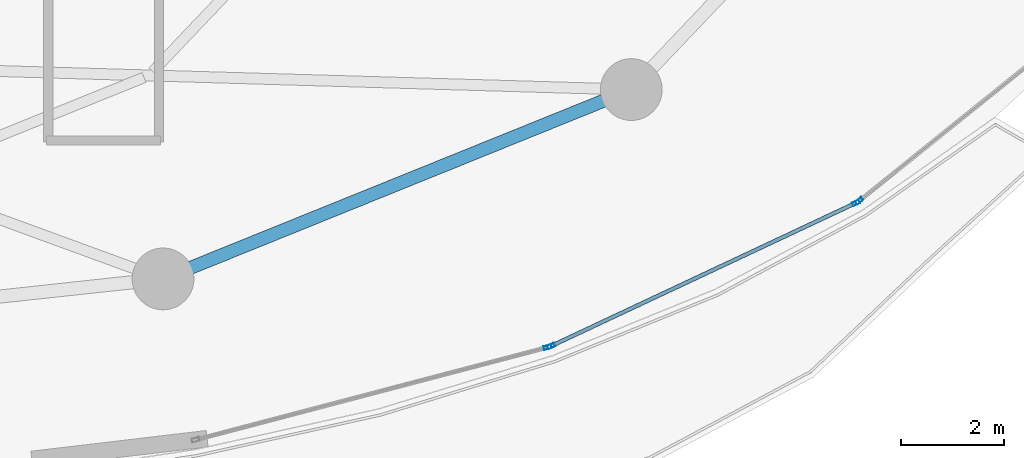
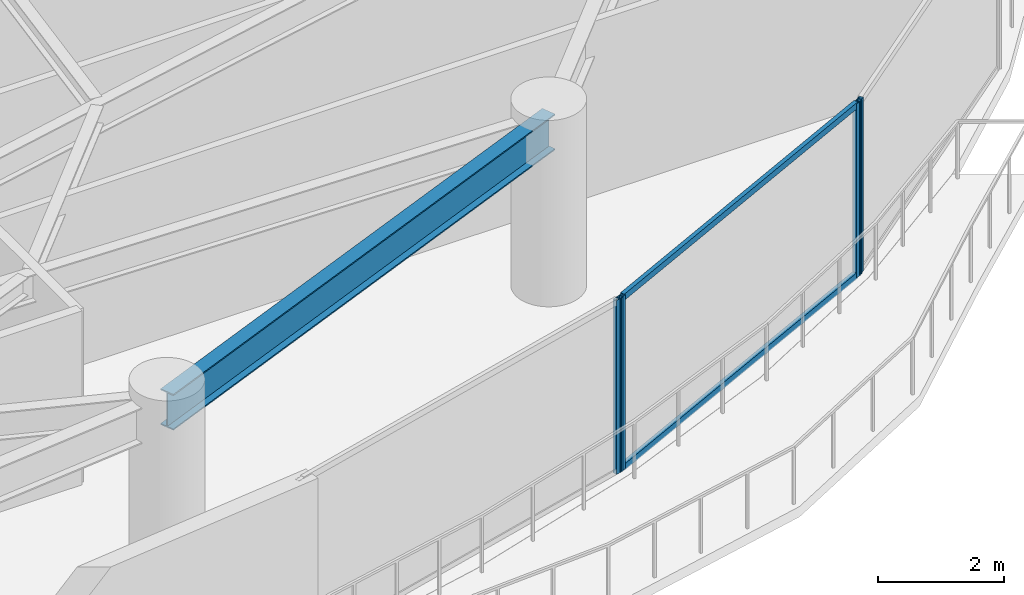
# One storey, part 14 of 34: 6 members, 1 beam, 3 elements without a shape of their own.
"""IFC4 building model written with IfcOpenShell, lengths in metres."""

import ifcopenshell
import ifcopenshell.guid

model = None  # the IFC model being written
_history = None  # IfcOwnerHistory: only IFC2X3 demands one
_inside = {}  # id of a spatial element -> (the spatial element, [elements in it])
_under = {}  # id of a project, library or spatial element -> (it, [spatial elements below it])
_declared = {}  # id of a project -> (the project, [libraries it declares])
_typed = {}  # id of a type object -> (the type object, [elements of that type])
_made_of = {}  # id of a material, layer set ... -> (it, [elements and type objects made of it])


def new_model(schema):
    """Start an empty IFC model of exactly this schema.

    Asked for "IFC4X3", IfcOpenShell would pick the latest addendum, in which some entities
    have other attributes; the version numbers below select the first issue.
    IFC2X3 requires an IfcOwnerHistory on every rooted entity: one is made here for all.
    """
    global model, _history
    if schema == "IFC4X3":
        model = ifcopenshell.file(schema_version=(4, 3, 0, 0))
    else:
        model = ifcopenshell.file(schema=schema)
    _inside.clear()
    _under.clear()
    _declared.clear()
    _typed.clear()
    _made_of.clear()
    _history = None
    if model.schema == "IFC2X3":
        org = make("IfcOrganization", Name="unknown")
        user = make(
            "IfcPersonAndOrganization",
            ThePerson=make("IfcPerson", FamilyName="unknown"),
            TheOrganization=org,
        )
        app = make(
            "IfcApplication",
            ApplicationDeveloper=org,
            Version="unknown",
            ApplicationFullName="unknown",
            ApplicationIdentifier="unknown",
        )
        _history = make(
            "IfcOwnerHistory",
            OwningUser=user,
            OwningApplication=app,
            ChangeAction="ADDED",
            CreationDate=0,
        )
    return model


def make(cls, **values):
    """One entity of the class cls with the attributes given. An attribute that is None is left unset."""
    return model.create_entity(
        cls, **{name: value for name, value in values.items() if value is not None}
    )


def rooted(cls, **values):
    """An entity with a GlobalId (a new one), such as an element, a storey or a relation."""
    return make(cls, GlobalId=ifcopenshell.guid.new(), OwnerHistory=_history, **values)


def si_unit(unit_type, name, prefix=None):
    """IfcSIUnit, for example si_unit("LENGTHUNIT", "METRE", prefix="MILLI")."""
    return make("IfcSIUnit", UnitType=unit_type, Prefix=prefix, Name=name)


def assignment(units):
    """IfcUnitAssignment: the units of a project."""
    return None if units is None else make("IfcUnitAssignment", Units=units)


def point(xyz):
    """IfcCartesianPoint."""
    return None if xyz is None else make("IfcCartesianPoint", Coordinates=xyz)


def direction(xyz):
    """IfcDirection."""
    return None if xyz is None else make("IfcDirection", DirectionRatios=xyz)


def frame(location, z_axis=None, x_axis=None):
    """IfcAxis2Placement3D, a coordinate frame: its origin and axes. An axis left out is left unset."""
    return make(
        "IfcAxis2Placement3D",
        Location=point(location),
        Axis=direction(z_axis),
        RefDirection=direction(x_axis),
    )


def frame_2d(location, x_axis=None):
    """IfcAxis2Placement2D, a coordinate frame in the plane: its origin and x axis."""
    return make(
        "IfcAxis2Placement2D", Location=point(location), RefDirection=direction(x_axis)
    )


def origin():
    """The frame at (0, 0, 0) with its axes left unset."""
    return frame((0.0, 0.0, 0.0))


def origin_2d():
    """The frame at (0, 0) in the plane with its x axis left unset."""
    return frame_2d((0.0, 0.0))


def place(relative_to, where):
    """IfcLocalPlacement: puts the frame where relative to a parent placement (None: the world)."""
    return make(
        "IfcLocalPlacement", PlacementRelTo=relative_to, RelativePlacement=where
    )


def context(
    kind, dimensions, precision=None, world=None, true_north=None, identifier=None
):
    """IfcGeometricRepresentationContext, for example the 3D "Model" context."""
    return make(
        "IfcGeometricRepresentationContext",
        ContextIdentifier=identifier,
        ContextType=kind,
        CoordinateSpaceDimension=dimensions,
        Precision=precision,
        WorldCoordinateSystem=world,
        TrueNorth=true_north,
    )


def subcontext(parent, identifier, kind, view, scale=None):
    """IfcGeometricRepresentationSubContext, for example "Body" below "Model"."""
    return make(
        "IfcGeometricRepresentationSubContext",
        ContextIdentifier=identifier,
        ContextType=kind,
        ParentContext=parent,
        TargetScale=scale,
        TargetView=view,
    )


def project(units=None, contexts=None):
    """IfcProject with its units and contexts."""
    return rooted(
        "IfcProject",
        Name="project",
        RepresentationContexts=contexts,
        UnitsInContext=assignment(units),
    )


def spatial(cls, under=None, at=None, **own):
    """A site, building, storey or space (cls), placed at a placement, below another one or the project."""
    s = rooted(cls, ObjectPlacement=at, **own)
    if under is not None:
        _under.setdefault(under.id(), (under, []))[1].append(s)
    return s


def profile(cls, at=None, kind="AREA", **sizes):
    """A parametric profile (cls). Its sizes go by their IFC names, for example OverallWidth=200.0."""
    return make(cls, ProfileType=kind, Position=at, **sizes)


def hollow_rectangle(**sizes):
    """IfcRectangleHollowProfileDef."""
    return profile("IfcRectangleHollowProfileDef", **sizes)


def i_section(**sizes):
    """IfcIShapeProfileDef."""
    return profile("IfcIShapeProfileDef", **sizes)


def extrude(swept, where, along, depth):
    """IfcExtrudedAreaSolid: the profile swept, set in the frame where, extruded along a direction by depth."""
    return make(
        "IfcExtrudedAreaSolid",
        SweptArea=swept,
        Position=where,
        ExtrudedDirection=direction(along),
        Depth=depth,
    )


def shape(context_of_items, identifier, shape_type, items):
    """IfcShapeRepresentation: the items that make up one representation, for example the "Body"."""
    return make(
        "IfcShapeRepresentation",
        ContextOfItems=context_of_items,
        RepresentationIdentifier=identifier,
        RepresentationType=shape_type,
        Items=items,
    )


def material(Name=None, Category=None):
    """IfcMaterial."""
    return make("IfcMaterial", Name=Name, Category=Category)


def layer(
    of_material, thickness, ventilated=None, Name=None, Category=None, Priority=None
):
    """IfcMaterialLayer: one layer of a wall or slab, of a material (None: an air gap)."""
    return make(
        "IfcMaterialLayer",
        Material=of_material,
        LayerThickness=thickness,
        IsVentilated=ventilated,
        Name=Name,
        Category=Category,
        Priority=Priority,
    )


def layer_set(layers, Name=None):
    """IfcMaterialLayerSet."""
    return make("IfcMaterialLayerSet", MaterialLayers=layers, LayerSetName=Name)


def material_profile(
    of_material, cross_section, Name=None, Category=None, Priority=None
):
    """IfcMaterialProfile: a cross section and its material."""
    return make(
        "IfcMaterialProfile",
        Name=Name,
        Material=of_material,
        Profile=cross_section,
        Priority=Priority,
        Category=Category,
    )


def profile_set(profiles, Name=None, composite=None):
    """IfcMaterialProfileSet."""
    return make(
        "IfcMaterialProfileSet",
        Name=Name,
        MaterialProfiles=profiles,
        CompositeProfile=composite,
    )


def made_of(thing, what):
    """Note that an element or type object is made of a material, layer set ...; save() writes the relation."""
    if what is not None:
        _made_of.setdefault(what.id(), (what, []))[1].append(thing)
    return thing


def type_object(cls, material=None, **own):
    """A type object (cls), such as IfcWallType, which elements share."""
    return made_of(rooted(cls, **own), material)


def element(
    cls,
    number,
    at=None,
    inside=None,
    cuts=None,
    type_object=None,
    material=None,
    context=None,
    identifier="Body",
    shape_type=None,
    held_by="IfcProductDefinitionShape",
    body=None,
    shapes=None,
    **own,
):
    """One element of the class cls, such as IfcWall. Its Tag is "e" and its number.

    at: its placement. inside: the storey or other place that contains it. cuts: it is an
    opening in that element (IfcRelVoidsElement). A single representation is given by context,
    identifier, shape_type and body (its items); several are given by shapes. held_by: the class
    of the entity that holds the representations. save() writes the other relations.
    """
    e = rooted(cls, Tag="e%d" % number, ObjectPlacement=at, **own)
    if body is not None:
        shapes = [shape(context, identifier, shape_type, body)]
    if shapes is not None:
        e.Representation = make(held_by, Representations=shapes)
    if inside is not None:
        _inside.setdefault(inside.id(), (inside, []))[1].append(e)
    if cuts is not None:
        rooted(
            "IfcRelVoidsElement", RelatingBuildingElement=cuts, RelatedOpeningElement=e
        )
    if type_object is not None:
        _typed.setdefault(type_object.id(), (type_object, []))[1].append(e)
    return made_of(e, material)


def aggregate(whole, parts):
    """IfcRelAggregates: a whole, such as a stair, and the parts it consists of."""
    return rooted("IfcRelAggregates", RelatingObject=whole, RelatedObjects=parts)


def save(model, path):
    """Write the relations noted so far, then the file.

    IfcRelAggregates (storeys below a building ...), IfcRelContainedInSpatialStructure (elements
    in a storey), IfcRelDefinesByType, IfcRelAssociatesMaterial and IfcRelDeclares: one each for
    every whole, place, type object, material and project.
    """
    for whole, parts in _under.values():
        aggregate(whole, parts)
    for where, things in _inside.values():
        rooted(
            "IfcRelContainedInSpatialStructure",
            RelatedElements=things,
            RelatingStructure=where,
        )
    for kind, things in _typed.values():
        rooted("IfcRelDefinesByType", RelatedObjects=things, RelatingType=kind)
    for what, things in _made_of.values():
        rooted("IfcRelAssociatesMaterial", RelatedObjects=things, RelatingMaterial=what)
    for by, libraries in _declared.values():
        rooted("IfcRelDeclares", RelatingContext=by, RelatedDefinitions=libraries)
    model.write(path)


model = new_model("IFC4")

# Units and contexts
model_context = context("Model", 3, precision=1e-05, world=origin(), true_north=direction((0.0, 1.0)))
body_context = subcontext(model_context, "Body", "Model", "MODEL_VIEW")
ifc_project = project(units=[si_unit("LENGTHUNIT", "METRE"), si_unit("AREAUNIT", "SQUARE_METRE"), si_unit("VOLUMEUNIT", "CUBIC_METRE"), si_unit("PLANEANGLEUNIT", "RADIAN"), si_unit("MASSUNIT", "GRAM", prefix="KILO")], contexts=[model_context])

# Site, building, storey
site_placement = place(None, origin())
site = spatial("IfcSite", under=ifc_project, at=site_placement, CompositionType="ELEMENT")
building_placement = place(site_placement, origin())
building = spatial("IfcBuilding", under=site, at=building_placement, Name="Kazevale Care Tower and Concert Hall", CompositionType="ELEMENT")
storey_placement = place(building_placement, frame((0.0, 0.0, 174.60009765625)))
storey = spatial("IfcBuildingStorey", under=building, at=storey_placement, Name="L46", CompositionType="ELEMENT", Elevation=174.60009765625)

# Curtain wall, member
ifc_material_1 = material(Name="Aluminium 6063-T6 and Low-E Glass", Category="aluminium")
ifc_layer = layer(ifc_material_1, 0.179931640625)
ifc_layer_set = layer_set([ifc_layer], Name="Aluminium 6063-T6 and Low-E Glass")
curtain_wall_type = type_object("IfcCurtainWallType", Name="Sheltered Concave Balcony Curtain Wall CW-5", PredefinedType="NOTDEFINED", material=ifc_layer_set)
curtain_wall_1_placement = place(storey_placement, origin())
curtain_wall_1 = element("IfcCurtainWall", 1, at=curtain_wall_1_placement, inside=storey, type_object=curtain_wall_type, Name="cw:L46:f02", PredefinedType="NOTDEFINED")
ifc_material_2 = material(Name="Aluminium 6063-T6", Category="aluminium")
ifc_material_profile_1 = material_profile(ifc_material_2, hollow_rectangle(XDim=0.074951171875, YDim=0.14990234375, WallThickness=0.00390625, at=origin_2d()), Name="ALU75x150x4")
ifc_profile_set_1 = profile_set([ifc_material_profile_1], Name="Aluminium 6063-T6")
member_type_1 = type_object("IfcMemberType", Name="CW-5 Mullion ALU75x150x4", PredefinedType="MULLION", material=ifc_profile_set_1)
member_1_placement = place(storey_placement, frame((69.25927734375, 20.826416015625, 0.0), z_axis=(0.0, 0.0, 1.0), x_axis=(0.626905357502, -0.779095419531, 0.0)))
member_1 = element("IfcMember", 2, at=member_1_placement, type_object=member_type_1, Name="CW-5 mullion 2", PredefinedType="MULLION", context=body_context, shape_type="SweptSolid", body=[
    extrude(hollow_rectangle(XDim=0.074951171875, YDim=0.14990234375, WallThickness=0.00390625, at=origin_2d()), origin(), (0.0, 0.0, 1.0), 3.35986328125),
])
aggregate(curtain_wall_1, [member_1])

# Curtain wall, members
curtain_wall_2_placement = place(storey_placement, origin())
curtain_wall_2 = element("IfcCurtainWall", 3, at=curtain_wall_2_placement, inside=storey, type_object=curtain_wall_type, Name="cw:L46:f03", PredefinedType="NOTDEFINED")
member_2_placement = place(storey_placement, frame((69.196044921875, 20.787109375, 0.0), z_axis=(0.0, 0.0, 1.0), x_axis=(0.425010766963, -0.905188294205, 0.0)))
member_2 = element("IfcMember", 4, at=member_2_placement, type_object=member_type_1, Name="CW-5 mullion 1", PredefinedType="MULLION", context=body_context, shape_type="SweptSolid", body=[
    extrude(hollow_rectangle(XDim=0.074951171875, YDim=0.14990234375, WallThickness=0.00390625, at=origin_2d()), origin(), (0.0, 0.0, 1.0), 3.35986328125),
])
member_3_placement = place(storey_placement, frame((63.27490234375, 18.0068359375, 0.0), z_axis=(0.0, 0.0, 1.0), x_axis=(0.425010766963, -0.905188294205, 0.0)))
member_3 = element("IfcMember", 5, at=member_3_placement, type_object=member_type_1, Name="CW-5 mullion 2", PredefinedType="MULLION", context=body_context, shape_type="SweptSolid", body=[
    extrude(hollow_rectangle(XDim=0.074951171875, YDim=0.14990234375, WallThickness=0.00390625, at=origin_2d()), origin(), (0.0, 0.0, 1.0), 3.35986328125),
])

# Curtain wall, member
curtain_wall_3_placement = place(storey_placement, origin())
curtain_wall_3 = element("IfcCurtainWall", 6, at=curtain_wall_3_placement, inside=storey, type_object=curtain_wall_type, Name="cw:L46:f04", PredefinedType="NOTDEFINED")
member_4_placement = place(storey_placement, frame((63.204833984375, 17.9814453125, 0.0), z_axis=(0.0, 0.0, 1.0), x_axis=(0.254238458229, -0.967141564797, 0.0)))
member_4 = element("IfcMember", 7, at=member_4_placement, type_object=member_type_1, Name="CW-5 mullion 1", PredefinedType="MULLION", context=body_context, shape_type="SweptSolid", body=[
    extrude(hollow_rectangle(XDim=0.074951171875, YDim=0.14990234375, WallThickness=0.00390625, at=origin_2d()), origin(), (0.0, 0.0, 1.0), 3.35986328125),
])
aggregate(curtain_wall_3, [member_4])

# Member
ifc_material_profile_2 = material_profile(ifc_material_2, hollow_rectangle(XDim=0.074951171875, YDim=0.1201171875, WallThickness=0.00390625, at=origin_2d()), Name="ALU75x120x4")
ifc_profile_set_2 = profile_set([ifc_material_profile_2], Name="Aluminium 6063-T6")
member_type_2 = type_object("IfcMemberType", Name="CW-5 Transom ALU75x120x4", PredefinedType="USERDEFINED", material=ifc_profile_set_2)
member_5_placement = place(storey_placement, frame((69.162109375, 20.771240234375, 0.037353515625), z_axis=(-0.90518714704, -0.425013210187, 0.0), x_axis=(0.425013210187, -0.90518714704, 0.0)))
member_5 = element("IfcMember", 8, at=member_5_placement, type_object=member_type_2, Name="CW-5 transom 1.1", ObjectType="TRANSOM", PredefinedType="USERDEFINED", context=body_context, shape_type="SweptSolid", body=[
    extrude(hollow_rectangle(XDim=0.074951171875, YDim=0.1201171875, WallThickness=0.00390625, at=origin_2d()), origin(), (0.0, 0.0, 1.0), 6.46630859375),
])

member_6_placement = place(storey_placement, frame((69.162109375, 20.771240234375, 3.322509765625), z_axis=(-0.90518714704, -0.425013210187, 0.0), x_axis=(0.425013210187, -0.90518714704, 0.0)))
member_6 = element("IfcMember", 9, at=member_6_placement, type_object=member_type_2, Name="CW-5 transom 1.2", ObjectType="TRANSOM", PredefinedType="USERDEFINED", context=body_context, shape_type="SweptSolid", body=[
    extrude(hollow_rectangle(XDim=0.074951171875, YDim=0.1201171875, WallThickness=0.00390625, at=origin_2d()), origin(), (0.0, 0.0, 1.0), 6.46630859375),
])

aggregate(curtain_wall_2, [member_2, member_3, member_5, member_6])

# Beam
ifc_material_3 = material(Name="Steel ASTM A572 Gr 50", Category="steel")
ifc_material_profile_3 = material_profile(ifc_material_3, i_section(OverallWidth=0.256103515625, OverallDepth=0.693115234375, WebThickness=0.014404296875, FlangeThickness=0.023681640625, at=origin_2d()), Name="W690x170")
ifc_profile_set_3 = profile_set([ifc_material_profile_3], Name="Steel ASTM A572 Gr 50")
beam_type = type_object("IfcBeamType", Name="Waist Ring Beam W690x170", PredefinedType="BEAM", material=ifc_profile_set_3)
beam_placement = place(storey_placement, frame((55.72998046875, 19.31005859375, 3.013427734375), z_axis=(0.927068687828, 0.374891515041, 0.0), x_axis=(-0.374891515041, 0.927068687828, 0.0)))
element("IfcBeam", 10, at=beam_placement, inside=storey, type_object=beam_type, Name="beam:L46:ring:14", PredefinedType="BEAM", context=body_context, shape_type="SweptSolid", body=[
    extrude(i_section(OverallWidth=0.256103515625, OverallDepth=0.693115234375, WebThickness=0.014404296875, FlangeThickness=0.023681640625, at=origin_2d()), origin(), (0.0, 0.0, 1.0), 9.81591796875),
])

save(model, "model.ifc")
